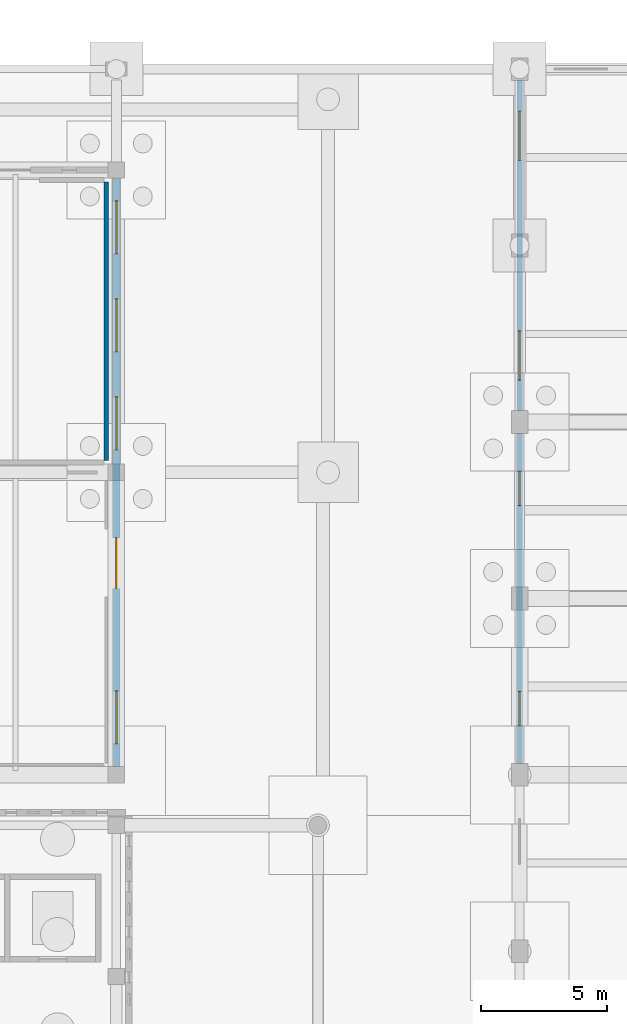
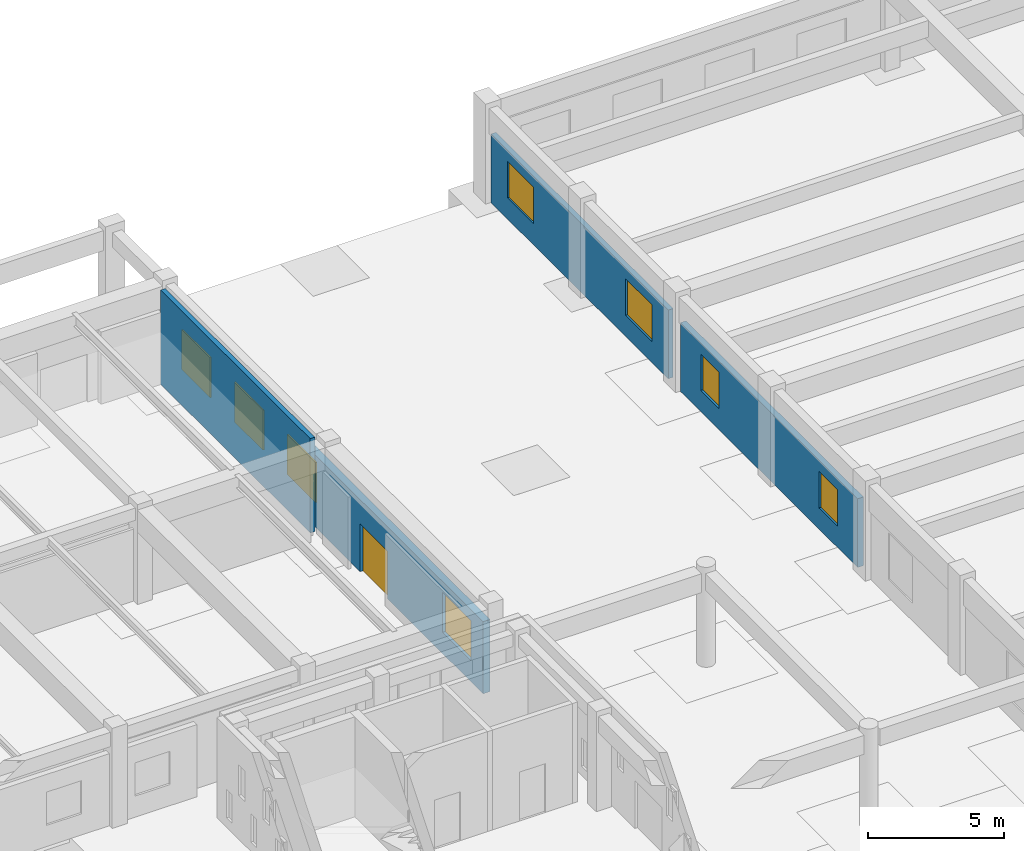
# One storey, part 59 of 84: 8 windows, 4 walls, 1 door, 9 openings.
"""IFC4 building model written with IfcOpenShell, lengths in metres."""

from ifc_helpers import new_model, si_unit, direction, frame, frame_2d, origin, place, context, subcontext, project, spatial, rectangle, extrude, material, layer, layer_set, type_object, element, fill, save


model = new_model("IFC4")

# Units and contexts
model_context = context("Model", 3, precision=1e-05, world=origin(), true_north=direction((0.0, 1.0)))
body_context = subcontext(model_context, "Body", "Model", "MODEL_VIEW")
ifc_project = project(units=[si_unit("LENGTHUNIT", "METRE"), si_unit("AREAUNIT", "SQUARE_METRE"), si_unit("VOLUMEUNIT", "CUBIC_METRE"), si_unit("PLANEANGLEUNIT", "RADIAN"), si_unit("MASSUNIT", "GRAM", prefix="KILO")], contexts=[model_context])

# Site, building, storey
site_placement = place(None, origin())
site = spatial("IfcSite", under=ifc_project, at=site_placement, CompositionType="ELEMENT")
building_placement = place(site_placement, origin())
building = spatial("IfcBuilding", under=site, at=building_placement, Name="Larkveld Mobility Hub", CompositionType="ELEMENT")
storey_placement = place(building_placement, origin())
storey = spatial("IfcBuildingStorey", under=building, at=storey_placement, Name="L00", CompositionType="ELEMENT", Elevation=0.0)

# Wall, openings, windows
ifc_material_1 = material(Name="Glazed architectural ceramic masonry 20 MPa", Category="masonry")
ifc_layer_1 = layer(ifc_material_1, 0.2099609375, Name="Glazed architectural ceramic masonry 20 MPa", Category="masonry")
ifc_layer_set_1 = layer_set([ifc_layer_1], Name="Glazed architectural ceramic masonry 20 MPa")
wall_type_1 = type_object("IfcWallType", Name="WL-COB-210", PredefinedType="USERDEFINED", material=ifc_layer_set_1)
wall_1_placement = place(storey_placement, frame((112.0, 125.5400390625, 0.0), z_axis=(0.0, 0.0, 1.0), x_axis=(0.0, -1.0, 0.0)))
wall_1 = element("IfcWall", 1, at=wall_1_placement, inside=storey, type_object=wall_type_1, Name="EV Wing West Ventilated Facade L00-0221", ObjectType="CERAMIC COBOGO SCREEN", PredefinedType="USERDEFINED", context=body_context, shape_type="SweptSolid", body=[
    extrude(rectangle(XDim=13.080078125, YDim=0.2099609375, at=frame_2d((6.5400390625, 0.0))), origin(), (0.0, 0.0, 1.0), 3.094970703125),
])
opening_1_placement = place(wall_1_placement, frame((1.205078125, 0.0, 0.949951171875)))
opening_1 = element("IfcOpeningElement", 2, at=opening_1_placement, cuts=wall_1, Name="Opening W21", PredefinedType="OPENING", context=body_context, shape_type="SweptSolid", body=[
    extrude(rectangle(XDim=1.949951171875, YDim=1.64990234375, at=frame_2d((0.97509765625, 0.824951171875))), frame((0.0, 0.114990234375, 0.0), z_axis=(0.0, -1.0, 0.0), x_axis=(1.0, 0.0, 0.0)), (0.0, 0.0, 1.0), 0.22998046875),
])
opening_2_placement = place(wall_1_placement, frame((9.925048828125, 0.0, 0.949951171875)))
opening_2 = element("IfcOpeningElement", 3, at=opening_2_placement, cuts=wall_1, Name="Opening W21", PredefinedType="OPENING", context=body_context, shape_type="SweptSolid", body=[
    extrude(rectangle(XDim=1.949951171875, YDim=1.64990234375, at=frame_2d((0.97509765625, 0.824951171875))), frame((0.0, 0.114990234375, 0.0), z_axis=(0.0, -1.0, 0.0), x_axis=(1.0, 0.0, 0.0)), (0.0, 0.0, 1.0), 0.22998046875),
])
ifc_material_2 = material(Name="Low-E double glazing in aluminium frame", Category="aluminium")
window_type_1 = type_object("IfcWindowType", Name="WN-ALU-21", PartitioningType="SINGLE_PANEL", PredefinedType="WINDOW", material=ifc_material_2)
window_1_placement = place(opening_1_placement, origin())
window_1 = element("IfcWindow", 4, at=window_1_placement, inside=storey, type_object=window_type_1, Name="Window W21 (1023)", OverallHeight=1.64990234375, OverallWidth=1.949951171875, PartitioningType="SINGLE_PANEL", PredefinedType="WINDOW", context=body_context, shape_type="SweptSolid", body=[
    extrude(rectangle(XDim=1.949951171875, YDim=1.64990234375, at=frame_2d((0.97509765625, 0.824951171875))), frame((0.0, 0.030029296875, 0.0), z_axis=(0.0, -1.0, 0.0), x_axis=(1.0, 0.0, 0.0)), (0.0, 0.0, 1.0), 0.06005859375),
])
fill(opening_1, window_1)
window_2_placement = place(opening_2_placement, origin())
window_2 = element("IfcWindow", 5, at=window_2_placement, inside=storey, type_object=window_type_1, Name="Window W21 (1024)", OverallHeight=1.64990234375, OverallWidth=1.949951171875, PartitioningType="SINGLE_PANEL", PredefinedType="WINDOW", context=body_context, shape_type="SweptSolid", body=[
    extrude(rectangle(XDim=1.949951171875, YDim=1.64990234375, at=frame_2d((0.97509765625, 0.824951171875))), frame((0.0, 0.030029296875, 0.0), z_axis=(0.0, -1.0, 0.0), x_axis=(1.0, 0.0, 0.0)), (0.0, 0.0, 1.0), 0.06005859375),
])
fill(opening_2, window_2)

ifc_layer_2 = layer(ifc_material_1, 0.2451171875, Name="Glazed architectural ceramic masonry 20 MPa", Category="masonry")
ifc_layer_set_2 = layer_set([ifc_layer_2], Name="Glazed architectural ceramic masonry 20 MPa")
wall_type_2 = type_object("IfcWallType", Name="WL-COB-245", PredefinedType="USERDEFINED", material=ifc_layer_set_2)
wall_2_placement = place(storey_placement, frame((112.0, 111.5400390625, 0.0), z_axis=(0.0, 0.0, 1.0), x_axis=(0.0, -1.0, 0.0)))
wall_2 = element("IfcWall", 6, at=wall_2_placement, inside=storey, type_object=wall_type_2, Name="EV Wing West Ventilated Facade L00-0220", ObjectType="CERAMIC COBOGO SCREEN", PredefinedType="USERDEFINED", context=body_context, shape_type="SweptSolid", body=[
    extrude(rectangle(XDim=13.080078125, YDim=0.2451171875, at=frame_2d((6.5400390625, 0.0))), origin(), (0.0, 0.0, 1.0), 3.094970703125),
])
opening_3_placement = place(wall_2_placement, frame((1.5048828125, 0.0, 0.949951171875)))
opening_3 = element("IfcOpeningElement", 7, at=opening_3_placement, cuts=wall_2, Name="Opening W19", PredefinedType="OPENING", context=body_context, shape_type="SweptSolid", body=[
    extrude(rectangle(XDim=1.35009765625, YDim=1.64990234375, at=frame_2d((0.675048828125, 0.824951171875))), frame((0.0, 0.132568359375, 0.0), z_axis=(0.0, -1.0, 0.0), x_axis=(1.0, 0.0, 0.0)), (0.0, 0.0, 1.0), 0.26513671875),
])
opening_4_placement = place(wall_2_placement, frame((10.22509765625, 0.0, 0.949951171875)))
opening_4 = element("IfcOpeningElement", 8, at=opening_4_placement, cuts=wall_2, Name="Opening W19", PredefinedType="OPENING", context=body_context, shape_type="SweptSolid", body=[
    extrude(rectangle(XDim=1.35009765625, YDim=1.64990234375, at=frame_2d((0.675048828125, 0.824951171875))), frame((0.0, 0.132568359375, 0.0), z_axis=(0.0, -1.0, 0.0), x_axis=(1.0, 0.0, 0.0)), (0.0, 0.0, 1.0), 0.26513671875),
])
window_type_2 = type_object("IfcWindowType", Name="WN-ALU-19", PartitioningType="SINGLE_PANEL", PredefinedType="WINDOW", material=ifc_material_2)
window_3_placement = place(opening_3_placement, origin())
window_3 = element("IfcWindow", 9, at=window_3_placement, inside=storey, type_object=window_type_2, Name="Window W19 (1021)", OverallHeight=1.64990234375, OverallWidth=1.35009765625, PartitioningType="SINGLE_PANEL", PredefinedType="WINDOW", context=body_context, shape_type="SweptSolid", body=[
    extrude(rectangle(XDim=1.35009765625, YDim=1.64990234375, at=frame_2d((0.675048828125, 0.824951171875))), frame((0.0, 0.030029296875, 0.0), z_axis=(0.0, -1.0, 0.0), x_axis=(1.0, 0.0, 0.0)), (0.0, 0.0, 1.0), 0.06005859375),
])
fill(opening_3, window_3)
window_4_placement = place(opening_4_placement, origin())
window_4 = element("IfcWindow", 10, at=window_4_placement, inside=storey, type_object=window_type_2, Name="Window W19 (1022)", OverallHeight=1.64990234375, OverallWidth=1.35009765625, PartitioningType="SINGLE_PANEL", PredefinedType="WINDOW", context=body_context, shape_type="SweptSolid", body=[
    extrude(rectangle(XDim=1.35009765625, YDim=1.64990234375, at=frame_2d((0.675048828125, 0.824951171875))), frame((0.0, 0.030029296875, 0.0), z_axis=(0.0, -1.0, 0.0), x_axis=(1.0, 0.0, 0.0)), (0.0, 0.0, 1.0), 0.06005859375),
])
fill(opening_4, window_4)

# Wall, openings, door, windows
ifc_material_3 = material(Name="Precast concrete C50/60", Category="concrete")
ifc_layer_3 = layer(ifc_material_3, 0.300048828125, Name="Precast concrete C50/60", Category="concrete")
ifc_layer_set_3 = layer_set([ifc_layer_3], Name="Precast concrete C50/60")
wall_type_3 = type_object("IfcWallType", Name="WL-EXT-300", PredefinedType="SOLIDWALL", material=ifc_layer_set_3)
wall_3_placement = place(storey_placement, frame((96.0, 98.3349609375, 0.0), z_axis=(0.0, 0.0, 1.0), x_axis=(0.0, 1.0, 0.0)))
wall_3 = element("IfcWall", 11, at=wall_3_placement, inside=storey, type_object=wall_type_3, Name="Bicycle Hall East End Wall L00-0186", PredefinedType="SOLIDWALL", context=body_context, shape_type="SweptSolid", body=[
    extrude(rectangle(XDim=23.330078125, YDim=0.300048828125, at=frame_2d((11.6650390625, 0.0))), origin(), (0.0, 0.0, 1.0), 3.2451171875),
])
opening_5_placement = place(wall_3_placement, frame((7.06494140625, 0.0, 0.0)))
opening_5 = element("IfcOpeningElement", 12, at=opening_5_placement, cuts=wall_3, Name="Opening ED02", PredefinedType="OPENING", context=body_context, shape_type="SweptSolid", body=[
    extrude(rectangle(XDim=2.0, YDim=2.14990234375, at=frame_2d((1.0, 1.074951171875))), frame((0.0, 0.16015625, 0.0), z_axis=(0.0, -1.0, 0.0), x_axis=(1.0, 0.0, 0.0)), (0.0, 0.0, 1.0), 0.320068359375),
])
opening_6_placement = place(wall_3_placement, frame((0.89404296875, 0.0, 0.949951171875)))
opening_6 = element("IfcOpeningElement", 13, at=opening_6_placement, cuts=wall_3, Name="Opening W13", PredefinedType="OPENING", context=body_context, shape_type="SweptSolid", body=[
    extrude(rectangle(XDim=2.10009765625, YDim=1.800048828125, at=frame_2d((1.050048828125, 0.89990234375))), frame((0.0, 0.16015625, 0.0), z_axis=(0.0, -1.0, 0.0), x_axis=(1.0, 0.0, 0.0)), (0.0, 0.0, 1.0), 0.320068359375),
])
opening_7_placement = place(wall_3_placement, frame((12.55908203125, 0.0, 0.949951171875)))
opening_7 = element("IfcOpeningElement", 14, at=opening_7_placement, cuts=wall_3, Name="Opening W13", PredefinedType="OPENING", context=body_context, shape_type="SweptSolid", body=[
    extrude(rectangle(XDim=2.10009765625, YDim=1.800048828125, at=frame_2d((1.050048828125, 0.89990234375))), frame((0.0, 0.16015625, 0.0), z_axis=(0.0, -1.0, 0.0), x_axis=(1.0, 0.0, 0.0)), (0.0, 0.0, 1.0), 0.320068359375),
])
opening_8_placement = place(wall_3_placement, frame((16.447998046875, 0.0, 0.949951171875)))
opening_8 = element("IfcOpeningElement", 15, at=opening_8_placement, cuts=wall_3, Name="Opening W13", PredefinedType="OPENING", context=body_context, shape_type="SweptSolid", body=[
    extrude(rectangle(XDim=2.10009765625, YDim=1.800048828125, at=frame_2d((1.050048828125, 0.89990234375))), frame((0.0, 0.16015625, 0.0), z_axis=(0.0, -1.0, 0.0), x_axis=(1.0, 0.0, 0.0)), (0.0, 0.0, 1.0), 0.320068359375),
])
opening_9_placement = place(wall_3_placement, frame((20.3359375, 0.0, 0.949951171875)))
opening_9 = element("IfcOpeningElement", 16, at=opening_9_placement, cuts=wall_3, Name="Opening W13", PredefinedType="OPENING", context=body_context, shape_type="SweptSolid", body=[
    extrude(rectangle(XDim=2.10009765625, YDim=1.800048828125, at=frame_2d((1.050048828125, 0.89990234375))), frame((0.0, 0.16015625, 0.0), z_axis=(0.0, -1.0, 0.0), x_axis=(1.0, 0.0, 0.0)), (0.0, 0.0, 1.0), 0.320068359375),
])
ifc_material_4 = material(Name="Anodised aluminium glazed entrance door", Category="aluminium")
door_type = type_object("IfcDoorType", Name="DR-EXT-DB20", OperationType="DOUBLE_DOOR_SINGLE_SWING", PredefinedType="DOOR", material=ifc_material_4)
door_placement = place(opening_5_placement, origin())
door = element("IfcDoor", 17, at=door_placement, inside=storey, type_object=door_type, Name="Public Passage Cycle Entrance EDR-L00-015", OperationType="DOUBLE_DOOR_SINGLE_SWING", OverallHeight=2.14990234375, OverallWidth=2.0, PredefinedType="DOOR", context=body_context, shape_type="SweptSolid", body=[
    extrude(rectangle(XDim=2.0, YDim=2.14990234375, at=frame_2d((1.0, 1.074951171875))), frame((0.0, 0.02490234375, 0.0), z_axis=(0.0, -1.0, 0.0), x_axis=(1.0, 0.0, 0.0)), (0.0, 0.0, 1.0), 0.050048828125),
])
fill(opening_5, door)
window_type_3 = type_object("IfcWindowType", Name="WN-ALU-13", PartitioningType="SINGLE_PANEL", PredefinedType="WINDOW", material=ifc_material_2)
window_5_placement = place(opening_6_placement, origin())
window_5 = element("IfcWindow", 18, at=window_5_placement, inside=storey, type_object=window_type_3, Name="Window W13 (0869)", OverallHeight=1.800048828125, OverallWidth=2.10009765625, PartitioningType="SINGLE_PANEL", PredefinedType="WINDOW", context=body_context, shape_type="SweptSolid", body=[
    extrude(rectangle(XDim=2.10009765625, YDim=1.800048828125, at=frame_2d((1.050048828125, 0.89990234375))), frame((0.0, 0.030029296875, 0.0), z_axis=(0.0, -1.0, 0.0), x_axis=(1.0, 0.0, 0.0)), (0.0, 0.0, 1.0), 0.06005859375),
])
fill(opening_6, window_5)
window_6_placement = place(opening_7_placement, origin())
window_6 = element("IfcWindow", 19, at=window_6_placement, inside=storey, type_object=window_type_3, Name="Window W13 (0870)", OverallHeight=1.800048828125, OverallWidth=2.10009765625, PartitioningType="SINGLE_PANEL", PredefinedType="WINDOW", context=body_context, shape_type="SweptSolid", body=[
    extrude(rectangle(XDim=2.10009765625, YDim=1.800048828125, at=frame_2d((1.050048828125, 0.89990234375))), frame((0.0, 0.030029296875, 0.0), z_axis=(0.0, -1.0, 0.0), x_axis=(1.0, 0.0, 0.0)), (0.0, 0.0, 1.0), 0.06005859375),
])
fill(opening_7, window_6)
window_7_placement = place(opening_8_placement, origin())
window_7 = element("IfcWindow", 20, at=window_7_placement, inside=storey, type_object=window_type_3, Name="Window W13 (0871)", OverallHeight=1.800048828125, OverallWidth=2.10009765625, PartitioningType="SINGLE_PANEL", PredefinedType="WINDOW", context=body_context, shape_type="SweptSolid", body=[
    extrude(rectangle(XDim=2.10009765625, YDim=1.800048828125, at=frame_2d((1.050048828125, 0.89990234375))), frame((0.0, 0.030029296875, 0.0), z_axis=(0.0, -1.0, 0.0), x_axis=(1.0, 0.0, 0.0)), (0.0, 0.0, 1.0), 0.06005859375),
])
fill(opening_8, window_7)
window_8_placement = place(opening_9_placement, origin())
window_8 = element("IfcWindow", 21, at=window_8_placement, inside=storey, type_object=window_type_3, Name="Window W13 (0872)", OverallHeight=1.800048828125, OverallWidth=2.10009765625, PartitioningType="SINGLE_PANEL", PredefinedType="WINDOW", context=body_context, shape_type="SweptSolid", body=[
    extrude(rectangle(XDim=2.10009765625, YDim=1.800048828125, at=frame_2d((1.050048828125, 0.89990234375))), frame((0.0, 0.030029296875, 0.0), z_axis=(0.0, -1.0, 0.0), x_axis=(1.0, 0.0, 0.0)), (0.0, 0.0, 1.0), 0.06005859375),
])
fill(opening_9, window_8)

# Wall
ifc_material_5 = material(Name="Concrete blockwork masonry 14 MPa", Category="masonry")
ifc_layer_4 = layer(ifc_material_5, 0.195068359375, Name="Concrete blockwork masonry 14 MPa", Category="masonry")
ifc_layer_set_4 = layer_set([ifc_layer_4], Name="Concrete blockwork masonry 14 MPa")
wall_type_4 = type_object("IfcWallType", Name="WL-PRT-195", PredefinedType="PARTITIONING", material=ifc_layer_set_4)
wall_4_placement = place(storey_placement, frame((95.60009765625, 110.47998046875, 0.0), z_axis=(0.0, 0.0, 1.0), x_axis=(0.0, 1.0, 0.0)))
element("IfcWall", 22, at=wall_4_placement, inside=storey, type_object=wall_type_4, Name="Bicycle Rental and Helmet Store Partition 0046", PredefinedType="PARTITIONING", context=body_context, shape_type="SweptSolid", body=[
    extrude(rectangle(XDim=11.0400390625, YDim=0.195068359375, at=frame_2d((5.52001953125, 0.0))), origin(), (0.0, 0.0, 1.0), 4.2451171875),
])

save(model, "model.ifc")
